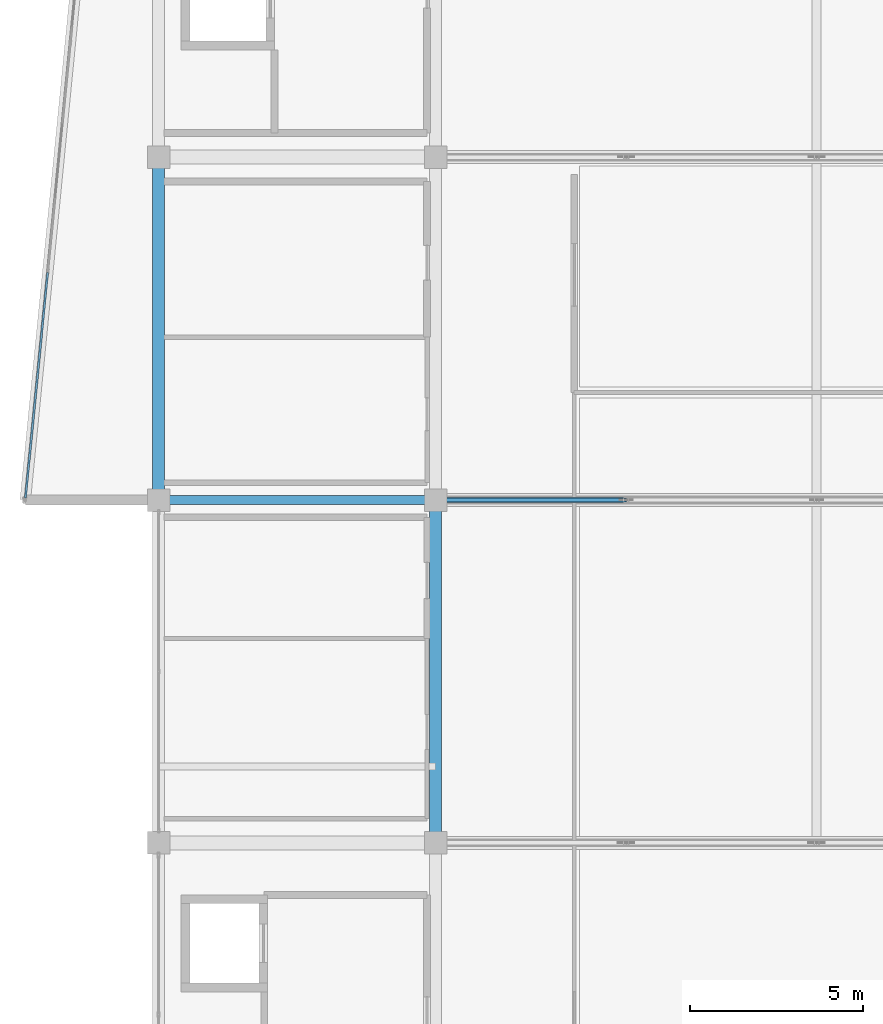
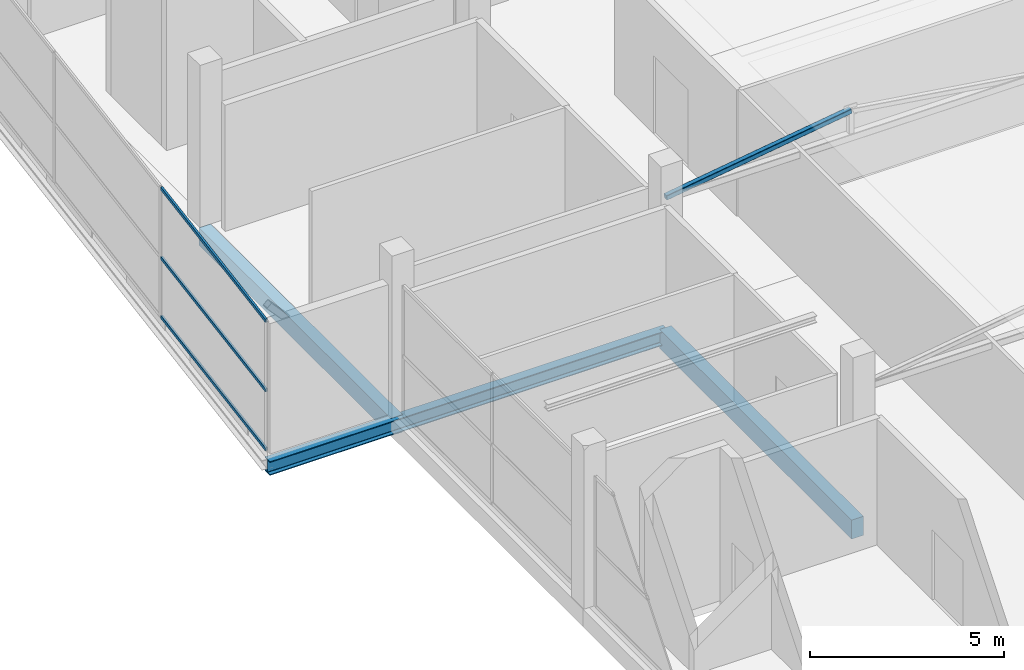
# One storey, part 19 of 58: 4 members, 3 beams, 1 element without a shape of its own.
"""IFC4 building model written with IfcOpenShell, lengths in metres."""

from ifc_helpers import new_model, si_unit, direction, frame, origin, origin_2d, place, context, subcontext, project, spatial, rectangle, hollow_rectangle, i_section, extrude, material, layer, layer_set, material_profile, profile_set, type_object, element, aggregate, save


model = new_model("IFC4")

# Units and contexts
model_context = context("Model", 3, precision=1e-05, world=origin(), true_north=direction((0.0, 1.0)))
body_context = subcontext(model_context, "Body", "Model", "MODEL_VIEW")
ifc_project = project(units=[si_unit("LENGTHUNIT", "METRE"), si_unit("AREAUNIT", "SQUARE_METRE"), si_unit("VOLUMEUNIT", "CUBIC_METRE"), si_unit("PLANEANGLEUNIT", "RADIAN"), si_unit("MASSUNIT", "GRAM", prefix="KILO")], contexts=[model_context])

# Site, building, storey
site_placement = place(None, origin())
site = spatial("IfcSite", under=ifc_project, at=site_placement, CompositionType="ELEMENT")
building_placement = place(site_placement, origin())
building = spatial("IfcBuilding", under=site, at=building_placement, Name="Sillaruma Civic Art Gallery", CompositionType="ELEMENT")
storey_placement = place(building_placement, frame((0.0, 0.0, 52.02001953125)))
storey = spatial("IfcBuildingStorey", under=building, at=storey_placement, Name="L10", CompositionType="ELEMENT", Elevation=52.02001953125)

# Beams
ifc_material_1 = material(Name="Concrete H35 (35 MPa)", Category="concrete")
ifc_material_profile_1 = material_profile(ifc_material_1, rectangle(XDim=0.35009765625, YDim=0.60009765625, at=origin_2d()), Name="RCB350x600")
ifc_profile_set_1 = profile_set([ifc_material_profile_1], Name="Concrete H35 (35 MPa)")
beam_type_1 = type_object("IfcBeamType", Name="BM-BEAM-RCB350x600", PredefinedType="BEAM", material=ifc_profile_set_1)
beam_1_placement = place(storey_placement, frame((70.0, 49.5, -0.550048828125), z_axis=(0.0, 1.0, 0.0), x_axis=(-1.0, 0.0, 0.0)))
element("IfcBeam", 1, at=beam_1_placement, inside=storey, type_object=beam_type_1, Name="Beam BM-06 (L09:G:6-7)", PredefinedType="BEAM", context=body_context, shape_type="SweptSolid", body=[
    extrude(rectangle(XDim=0.35009765625, YDim=0.60009765625, at=origin_2d()), origin(), (0.0, 0.0, 1.0), 9.89990234375),
])
ifc_material_2 = material(Name="Structural Steel ASTM A992 Gr.50", Category="steel")
ifc_material_profile_2 = material_profile(ifc_material_2, i_section(OverallWidth=0.264892578125, OverallDepth=0.430908203125, WebThickness=0.014892578125, FlangeThickness=0.02490234375, FilletRadius=0.012939453125, at=origin_2d()), Name="W410x149")
ifc_profile_set_2 = profile_set([ifc_material_profile_2], Name="Structural Steel ASTM A992 Gr.50")
beam_type_2 = type_object("IfcBeamType", Name="BM-PROW-W410x149", PredefinedType="BEAM", material=ifc_profile_set_2)
beam_2_placement = place(storey_placement, frame((70.0, 59.39990234375, -0.465576171875), z_axis=(-1.0, 0.0, 0.0), x_axis=(0.0, -1.0, 0.0)))
element("IfcBeam", 2, at=beam_2_placement, inside=storey, type_object=beam_type_2, Name="Back-Spanned Prow Beam (PRW-L10-W-FLR-S)", PredefinedType="BEAM", context=body_context, shape_type="SweptSolid", body=[
    extrude(i_section(OverallWidth=0.264892578125, OverallDepth=0.430908203125, WebThickness=0.014892578125, FlangeThickness=0.02490234375, FilletRadius=0.012939453125, at=origin_2d()), origin(), (0.0, 0.0, 1.0), 11.85009765625),
])
ifc_material_profile_3 = material_profile(ifc_material_1, rectangle(XDim=0.35009765625, YDim=0.550048828125, at=origin_2d()), Name="RCB350x550")
ifc_profile_set_3 = profile_set([ifc_material_profile_3], Name="Concrete H35 (35 MPa)")
beam_type_3 = type_object("IfcBeamType", Name="BM-SPANDREL-RCB350x550", PredefinedType="SPANDREL", material=ifc_profile_set_3)
beam_3_placement = place(storey_placement, frame((62.0, 59.39990234375, -0.52490234375), z_axis=(0.0, 1.0, 0.0), x_axis=(-1.0, 0.0, 0.0)))
element("IfcBeam", 3, at=beam_3_placement, inside=storey, type_object=beam_type_3, Name="Beam BS-04 (L09:F:7-8)", PredefinedType="SPANDREL", context=body_context, shape_type="SweptSolid", body=[
    extrude(rectangle(XDim=0.35009765625, YDim=0.550048828125, at=origin_2d()), origin(), (0.0, 0.0, 1.0), 9.900146484375),
])

# Member
ifc_material_3 = material(Name="Structural Steel ASTM A500 Gr.C", Category="steel")
ifc_material_profile_4 = material_profile(ifc_material_3, hollow_rectangle(XDim=0.14990234375, YDim=0.14990234375, WallThickness=0.010009765625, InnerFilletRadius=0.010009765625, OuterFilletRadius=0.02001953125, at=origin_2d()), Name="HSS150x150x10")
ifc_profile_set_4 = profile_set([ifc_material_profile_4], Name="Structural Steel ASTM A500 Gr.C")
member_type_1 = type_object("IfcMemberType", Name="MEM-BRACE-HSS150x150x10", PredefinedType="BRACE", material=ifc_profile_set_4)
member_1_placement = place(storey_placement, frame((70.0, 59.39990234375, 3.85986328125), z_axis=(0.989377720719, 0.0, 0.145367553959), x_axis=(0.0, 1.0, 0.0)))
element("IfcMember", 4, at=member_1_placement, inside=storey, type_object=member_type_1, Name="Warren Truss Diagonal TR-L10-2-D1", PredefinedType="BRACE", context=body_context, shape_type="SweptSolid", body=[
    extrude(hollow_rectangle(XDim=0.14990234375, YDim=0.14990234375, WallThickness=0.010009765625, InnerFilletRadius=0.010009765625, OuterFilletRadius=0.02001953125, at=origin_2d()), origin(), (0.0, 0.0, 1.0), 5.55908203125),
])

# Curtain wall, members
ifc_material_4 = material(Name="Thermally Broken Extruded Aluminium 6063-T6", Category="aluminium")
ifc_layer = layer(ifc_material_4, 0.139892578125, Name="Thermally Broken Extruded Aluminium 6063-T6")
ifc_layer_set = layer_set([ifc_layer], Name="Thermally Broken Extruded Aluminium 6063-T6")
curtain_wall_type = type_object("IfcCurtainWallType", Name="CW-UNI-84", PredefinedType="NOTDEFINED", material=ifc_layer_set)
curtain_wall_placement = place(storey_placement, origin())
curtain_wall = element("IfcCurtainWall", 5, at=curtain_wall_placement, inside=storey, type_object=curtain_wall_type, Name="Unitised Curtain Wall CW-84 (CW-PRW-L10-W-ANG)", PredefinedType="NOTDEFINED")
ifc_material_profile_5 = material_profile(ifc_material_4, hollow_rectangle(XDim=0.06005859375, YDim=0.10009765625, WallThickness=0.003173828125, at=origin_2d()), Name="CWT60x100")
ifc_profile_set_5 = profile_set([ifc_material_profile_5], Name="Thermally Broken Extruded Aluminium 6063-T6")
member_type_2 = type_object("IfcMemberType", Name="MEM-TRN-CWT60x100", PredefinedType="USERDEFINED", material=ifc_profile_set_5)
member_2_placement = place(storey_placement, frame((58.797119140625, 65.97021484375, 0.030029296875), z_axis=(-0.098036719934, -0.995182798055, 0.0), x_axis=(0.995182798055, -0.098036719934, 0.0)))
member_2 = element("IfcMember", 6, at=member_2_placement, type_object=member_type_2, Name="CW-84 transom 3.1", ObjectType="TRANSOM", PredefinedType="USERDEFINED", context=body_context, shape_type="SweptSolid", body=[
    extrude(hollow_rectangle(XDim=0.06005859375, YDim=0.10009765625, WallThickness=0.003173828125, at=origin_2d()), origin(), (0.0, 0.0, 1.0), 6.5419921875),
])
member_3_placement = place(storey_placement, frame((58.797119140625, 65.97021484375, 1.885986328125), z_axis=(-0.098036719934, -0.995182798055, 0.0), x_axis=(0.995182798055, -0.098036719934, 0.0)))
member_3 = element("IfcMember", 7, at=member_3_placement, type_object=member_type_2, Name="CW-84 transom 3.2", ObjectType="TRANSOM", PredefinedType="USERDEFINED", context=body_context, shape_type="SweptSolid", body=[
    extrude(hollow_rectangle(XDim=0.06005859375, YDim=0.10009765625, WallThickness=0.003173828125, at=origin_2d()), origin(), (0.0, 0.0, 1.0), 6.5419921875),
])
member_4_placement = place(storey_placement, frame((58.797119140625, 65.97021484375, 4.070068359375), z_axis=(-0.098036719934, -0.995182798055, 0.0), x_axis=(0.995182798055, -0.098036719934, 0.0)))
member_4 = element("IfcMember", 8, at=member_4_placement, type_object=member_type_2, Name="CW-84 transom 3.3", ObjectType="TRANSOM", PredefinedType="USERDEFINED", context=body_context, shape_type="SweptSolid", body=[
    extrude(hollow_rectangle(XDim=0.06005859375, YDim=0.10009765625, WallThickness=0.003173828125, at=origin_2d()), origin(), (0.0, 0.0, 1.0), 6.5419921875),
])
aggregate(curtain_wall, [member_2, member_3, member_4])

save(model, "model.ifc")
